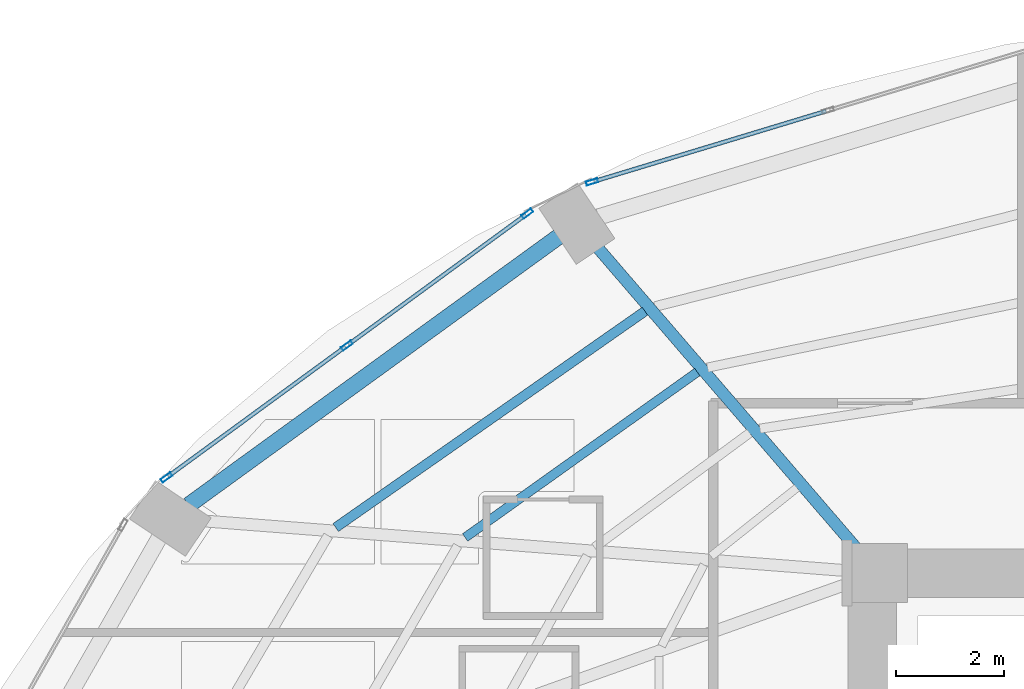
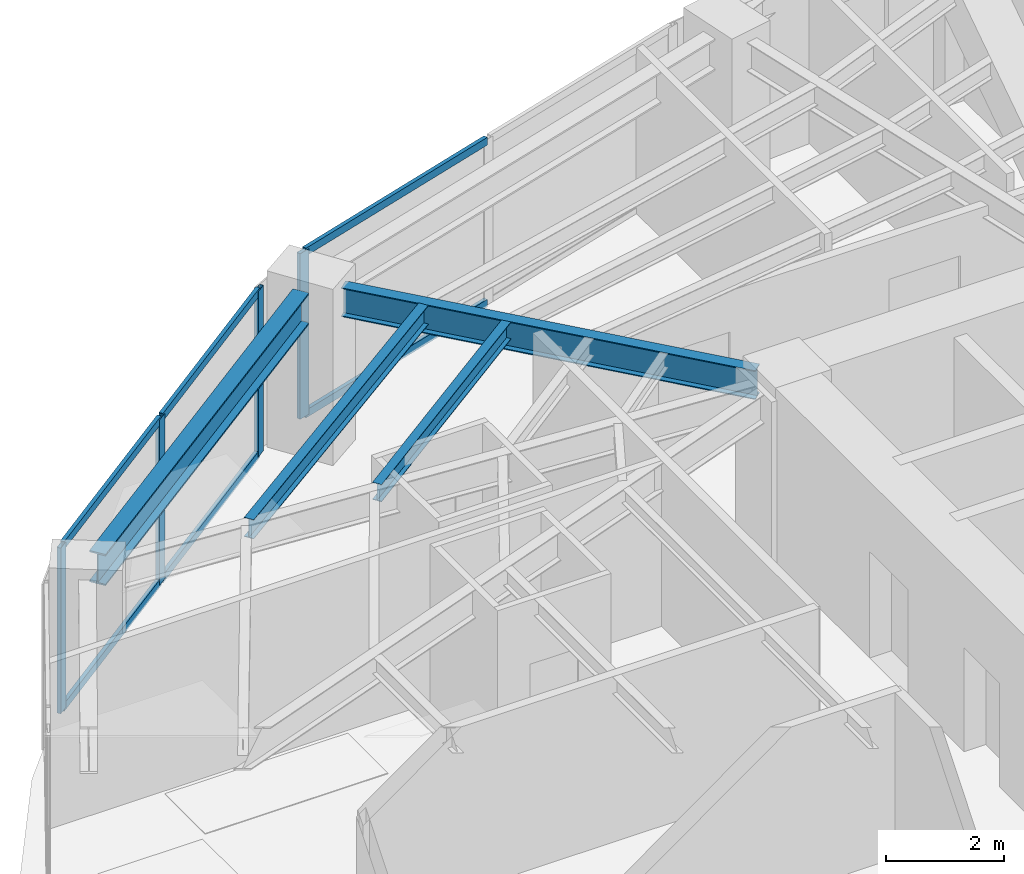
# One storey, part 14 of 25: 10 members, 4 beams, 2 elements without a shape of their own.
"""IFC4 building model written with IfcOpenShell, lengths in metres."""

from ifc_helpers import new_model, si_unit, direction, frame, origin, origin_2d, place, context, subcontext, project, spatial, hollow_rectangle, i_section, extrude, material, layer, layer_set, material_profile, profile_set, type_object, element, aggregate, save


model = new_model("IFC4")

# Units and contexts
model_context = context("Model", 3, precision=1e-05, world=origin(), true_north=direction((0.0, 1.0)))
body_context = subcontext(model_context, "Body", "Model", "MODEL_VIEW")
ifc_project = project(units=[si_unit("LENGTHUNIT", "METRE"), si_unit("AREAUNIT", "SQUARE_METRE"), si_unit("VOLUMEUNIT", "CUBIC_METRE"), si_unit("PLANEANGLEUNIT", "RADIAN"), si_unit("MASSUNIT", "GRAM", prefix="KILO")], contexts=[model_context])

# Site, building, storey
site_placement = place(None, origin())
site = spatial("IfcSite", under=ifc_project, at=site_placement, CompositionType="ELEMENT")
building_placement = place(site_placement, origin())
building = spatial("IfcBuilding", under=site, at=building_placement, Name="Lazwardi Medical Tower", CompositionType="ELEMENT")
storey_placement = place(building_placement, frame((0.0, 0.0, 50.736083984375)))
storey = spatial("IfcBuildingStorey", under=building, at=storey_placement, Name="L12", CompositionType="ELEMENT", Elevation=50.736083984375)

# Beams
ifc_material_1 = material(Name="Steel S355", Category="steel")
ifc_material_profile_1 = material_profile(ifc_material_1, i_section(OverallWidth=0.300048828125, OverallDepth=0.64990234375, WebThickness=0.01611328125, FlangeThickness=0.031005859375, at=origin_2d()), Name="HEB 650")
ifc_profile_set_1 = profile_set([ifc_material_profile_1], Name="Steel S355")
beam_type_1 = type_object("IfcBeamType", Name="BM-RB-Z1", PredefinedType="BEAM", material=ifc_profile_set_1)
beam_1_placement = place(storey_placement, frame((20.47900390625, 41.83740234375, 3.10302734375), z_axis=(-0.80939338516, -0.5872668457, 0.0), x_axis=(0.5872668457, -0.80939338516, 0.0)))
element("IfcBeam", 1, at=beam_1_placement, inside=storey, type_object=beam_type_1, Name="Ring beam RB-02 B10 L12", PredefinedType="BEAM", context=body_context, shape_type="SweptSolid", body=[
    extrude(i_section(OverallWidth=0.300048828125, OverallDepth=0.64990234375, WebThickness=0.01611328125, FlangeThickness=0.031005859375, at=origin_2d()), origin(), (0.0, 0.0, 1.0), 8.47412109375),
])
ifc_material_profile_2 = material_profile(ifc_material_1, i_section(OverallWidth=0.219970703125, OverallDepth=0.60009765625, WebThickness=0.011962890625, FlangeThickness=0.01904296875, at=origin_2d()), Name="IPE 600")
ifc_profile_set_2 = profile_set([ifc_material_profile_2], Name="Steel S355")
beam_type_2 = type_object("IfcBeamType", Name="BM-RG-W1", PredefinedType="BEAM", material=ifc_profile_set_2)
beam_2_placement = place(storey_placement, frame((21.197509765625, 41.644287109375, 3.1279296875), z_axis=(0.652368190463, -0.757902199543, 0.0), x_axis=(0.757902199543, 0.652368190463, 0.0)))
element("IfcBeam", 2, at=beam_2_placement, inside=storey, type_object=beam_type_2, Name="Radial girder RG-02 R10 L12", PredefinedType="BEAM", context=body_context, shape_type="SweptSolid", body=[
    extrude(i_section(OverallWidth=0.219970703125, OverallDepth=0.60009765625, WebThickness=0.011962890625, FlangeThickness=0.01904296875, at=origin_2d()), origin(), (0.0, 0.0, 1.0), 7.43994140625),
])
ifc_material_profile_3 = material_profile(ifc_material_1, i_section(OverallWidth=0.179931640625, OverallDepth=0.39990234375, WebThickness=0.008544921875, FlangeThickness=0.013427734375, at=origin_2d()), Name="IPE 400")
ifc_profile_set_3 = profile_set([ifc_material_profile_3], Name="Steel S355")
beam_type_3 = type_object("IfcBeamType", Name="BM-SJ-01", PredefinedType="JOIST", material=ifc_profile_set_3)
beam_3_placement = place(storey_placement, frame((22.08203125, 40.456298828125, 3.22802734375), z_axis=(-0.81942522483, -0.573186096231, 0.0), x_axis=(0.573186096231, -0.81942522483, 0.0)))
element("IfcBeam", 3, at=beam_3_placement, inside=storey, type_object=beam_type_3, Name="Secondary joist SJ-01 R1 B10 L12", PredefinedType="JOIST", context=body_context, shape_type="SweptSolid", body=[
    extrude(i_section(OverallWidth=0.179931640625, OverallDepth=0.39990234375, WebThickness=0.008544921875, FlangeThickness=0.013427734375, at=origin_2d()), origin(), (0.0, 0.0, 1.0), 6.999755859375),
])
ifc_material_profile_4 = material_profile(ifc_material_1, i_section(OverallWidth=0.169921875, OverallDepth=0.360107421875, WebThickness=0.008056640625, FlangeThickness=0.0126953125, at=origin_2d()), Name="IPE 360")
ifc_profile_set_4 = profile_set([ifc_material_profile_4], Name="Steel S355")
beam_type_4 = type_object("IfcBeamType", Name="BM-SJ-02", PredefinedType="JOIST", material=ifc_profile_set_4)
beam_4_placement = place(storey_placement, frame((23.05322265625, 39.327880859375, 3.247802734375), z_axis=(-0.814341377136, -0.580386183058, 0.0), x_axis=(0.580386183058, -0.814341377136, 0.0)))
element("IfcBeam", 4, at=beam_4_placement, inside=storey, type_object=beam_type_4, Name="Secondary joist SJ-02 R2 B10 L12", PredefinedType="JOIST", context=body_context, shape_type="SweptSolid", body=[
    extrude(i_section(OverallWidth=0.169921875, OverallDepth=0.360107421875, WebThickness=0.008056640625, FlangeThickness=0.0126953125, at=origin_2d()), origin(), (0.0, 0.0, 1.0), 5.28759765625),
])

# Curtain wall, member
ifc_material_2 = material(Name="Anodised bronze aluminium and solar control glazing", Category="aluminium")
ifc_layer = layer(ifc_material_2, 0.199951171875)
ifc_layer_set = layer_set([ifc_layer], Name="Anodised bronze aluminium and solar control glazing")
curtain_wall_type = type_object("IfcCurtainWallType", Name="CW-SYS-02", PredefinedType="NOTDEFINED", material=ifc_layer_set)
curtain_wall_1_placement = place(storey_placement, origin())
curtain_wall_1 = element("IfcCurtainWall", 5, at=curtain_wall_1_placement, inside=storey, type_object=curtain_wall_type, Name="L12 Unitised bronze curtain wall CW-02", PredefinedType="NOTDEFINED")
ifc_material_3 = material(Name="Anodised bronze aluminium", Category="aluminium")
ifc_material_profile_5 = material_profile(ifc_material_3, hollow_rectangle(XDim=0.074951171875, YDim=0.219970703125, WallThickness=0.00390625, at=origin_2d()), Name="ALU-MULLION 220x75x4")
ifc_profile_set_5 = profile_set([ifc_material_profile_5], Name="Anodised bronze aluminium")
member_type_1 = type_object("IfcMemberType", Name="CW-MUL-01", PredefinedType="MULLION", material=ifc_profile_set_5)
member_1_placement = place(storey_placement, frame((21.1015625, 42.853271484375, 0.0), z_axis=(0.0, 0.0, 1.0), x_axis=(0.2898956909, -0.957058247129, 0.0)))
member_1 = element("IfcMember", 6, at=member_1_placement, type_object=member_type_1, Name="CW-02 mullion 3", PredefinedType="MULLION", context=body_context, shape_type="SweptSolid", body=[
    extrude(hollow_rectangle(XDim=0.074951171875, YDim=0.219970703125, WallThickness=0.00390625, at=origin_2d()), origin(), (0.0, 0.0, 1.0), 3.427978515625),
])

# Curtain wall, members
curtain_wall_2_placement = place(storey_placement, origin())
curtain_wall_2 = element("IfcCurtainWall", 7, at=curtain_wall_2_placement, inside=storey, type_object=curtain_wall_type, Name="L12 Unitised bronze curtain wall CW-02", PredefinedType="NOTDEFINED")
member_2_placement = place(storey_placement, frame((19.9013671875, 42.26611328125, 0.0), z_axis=(0.0, 0.0, 1.0), x_axis=(0.590289307341, -0.807191757663, 0.0)))
member_2 = element("IfcMember", 8, at=member_2_placement, type_object=member_type_1, Name="CW-02 mullion 1", PredefinedType="MULLION", context=body_context, shape_type="SweptSolid", body=[
    extrude(hollow_rectangle(XDim=0.074951171875, YDim=0.219970703125, WallThickness=0.00390625, at=origin_2d()), origin(), (0.0, 0.0, 1.0), 3.427978515625),
])
member_3_placement = place(storey_placement, frame((16.5556640625, 39.8193359375, 0.0), z_axis=(0.0, 0.0, 1.0), x_axis=(0.590289307341, -0.807191757663, 0.0)))
member_3 = element("IfcMember", 9, at=member_3_placement, type_object=member_type_1, Name="CW-02 mullion 2", PredefinedType="MULLION", context=body_context, shape_type="SweptSolid", body=[
    extrude(hollow_rectangle(XDim=0.074951171875, YDim=0.219970703125, WallThickness=0.00390625, at=origin_2d()), origin(), (0.0, 0.0, 1.0), 3.427978515625),
])
member_4_placement = place(storey_placement, frame((13.209716796875, 37.37255859375, 0.0), z_axis=(0.0, 0.0, 1.0), x_axis=(0.590289307341, -0.807191757663, 0.0)))
member_4 = element("IfcMember", 10, at=member_4_placement, type_object=member_type_1, Name="CW-02 mullion 3", PredefinedType="MULLION", context=body_context, shape_type="SweptSolid", body=[
    extrude(hollow_rectangle(XDim=0.074951171875, YDim=0.219970703125, WallThickness=0.00390625, at=origin_2d()), origin(), (0.0, 0.0, 1.0), 3.427978515625),
])

# Member
ifc_material_profile_6 = material_profile(ifc_material_3, hollow_rectangle(XDim=0.074951171875, YDim=0.159912109375, WallThickness=0.00390625, at=origin_2d()), Name="ALU-TRANSOM 160x75x4")
ifc_profile_set_6 = profile_set([ifc_material_profile_6], Name="Anodised bronze aluminium")
member_type_2 = type_object("IfcMemberType", Name="CW-TRN-01", PredefinedType="USERDEFINED", material=ifc_profile_set_6)
member_5_placement = place(storey_placement, frame((25.44091796875, 44.16748046875, 0.037353515625), z_axis=(-0.957062297904, -0.289882317383, 0.0), x_axis=(0.289882317383, -0.957062297904, 0.0)))
member_5 = element("IfcMember", 11, at=member_5_placement, type_object=member_type_2, Name="CW-02 transom 2.1", ObjectType="TRANSOM", PredefinedType="USERDEFINED", context=body_context, shape_type="SweptSolid", body=[
    extrude(hollow_rectangle(XDim=0.074951171875, YDim=0.159912109375, WallThickness=0.00390625, at=origin_2d()), origin(), (0.0, 0.0, 1.0), 4.49658203125),
])

member_6_placement = place(storey_placement, frame((25.44091796875, 44.16748046875, 3.390380859375), z_axis=(-0.957062297904, -0.289882317383, 0.0), x_axis=(0.289882317383, -0.957062297904, 0.0)))
member_6 = element("IfcMember", 12, at=member_6_placement, type_object=member_type_2, Name="CW-02 transom 2.2", ObjectType="TRANSOM", PredefinedType="USERDEFINED", context=body_context, shape_type="SweptSolid", body=[
    extrude(hollow_rectangle(XDim=0.074951171875, YDim=0.159912109375, WallThickness=0.00390625, at=origin_2d()), origin(), (0.0, 0.0, 1.0), 4.49658203125),
])

aggregate(curtain_wall_1, [member_1, member_5, member_6])

member_7_placement = place(storey_placement, frame((19.87109375, 42.243896484375, 0.037353515625), z_axis=(-0.807197636578, -0.590281268128, 0.0), x_axis=(0.590281268128, -0.807197636578, 0.0)))
member_7 = element("IfcMember", 13, at=member_7_placement, type_object=member_type_2, Name="CW-02 transom 1.1", ObjectType="TRANSOM", PredefinedType="USERDEFINED", context=body_context, shape_type="SweptSolid", body=[
    extrude(hollow_rectangle(XDim=0.074951171875, YDim=0.159912109375, WallThickness=0.00390625, at=origin_2d()), origin(), (0.0, 0.0, 1.0), 4.06982421875),
])

member_8_placement = place(storey_placement, frame((19.87109375, 42.243896484375, 3.390380859375), z_axis=(-0.807197636578, -0.590281268128, 0.0), x_axis=(0.590281268128, -0.807197636578, 0.0)))
member_8 = element("IfcMember", 14, at=member_8_placement, type_object=member_type_2, Name="CW-02 transom 1.2", ObjectType="TRANSOM", PredefinedType="USERDEFINED", context=body_context, shape_type="SweptSolid", body=[
    extrude(hollow_rectangle(XDim=0.074951171875, YDim=0.159912109375, WallThickness=0.00390625, at=origin_2d()), origin(), (0.0, 0.0, 1.0), 4.06982421875),
])

member_9_placement = place(storey_placement, frame((16.525390625, 39.797119140625, 0.037353515625), z_axis=(-0.807218536774, -0.590252686472, 0.0), x_axis=(0.590252686472, -0.807218536774, 0.0)))
member_9 = element("IfcMember", 15, at=member_9_placement, type_object=member_type_2, Name="CW-02 transom 2.1", ObjectType="TRANSOM", PredefinedType="USERDEFINED", context=body_context, shape_type="SweptSolid", body=[
    extrude(hollow_rectangle(XDim=0.074951171875, YDim=0.159912109375, WallThickness=0.00390625, at=origin_2d()), origin(), (0.0, 0.0, 1.0), 4.070068359375),
])

member_10_placement = place(storey_placement, frame((16.525390625, 39.797119140625, 3.390380859375), z_axis=(-0.807218536774, -0.590252686472, 0.0), x_axis=(0.590252686472, -0.807218536774, 0.0)))
member_10 = element("IfcMember", 16, at=member_10_placement, type_object=member_type_2, Name="CW-02 transom 2.2", ObjectType="TRANSOM", PredefinedType="USERDEFINED", context=body_context, shape_type="SweptSolid", body=[
    extrude(hollow_rectangle(XDim=0.074951171875, YDim=0.159912109375, WallThickness=0.00390625, at=origin_2d()), origin(), (0.0, 0.0, 1.0), 4.070068359375),
])

aggregate(curtain_wall_2, [member_2, member_3, member_4, member_7, member_8, member_9, member_10])

save(model, "model.ifc")
